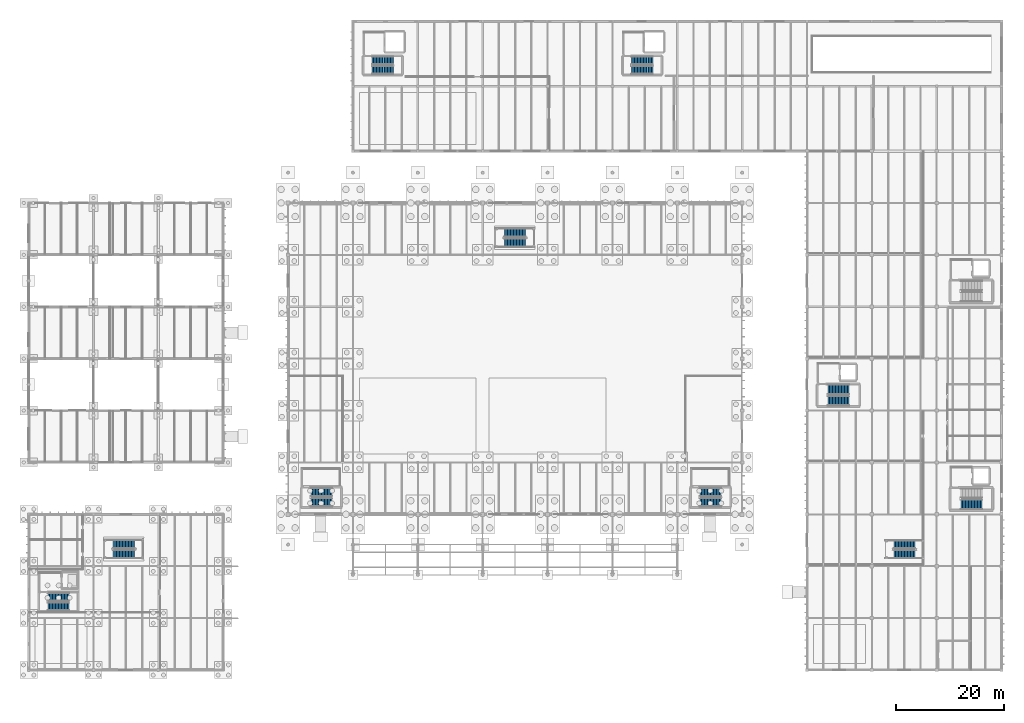
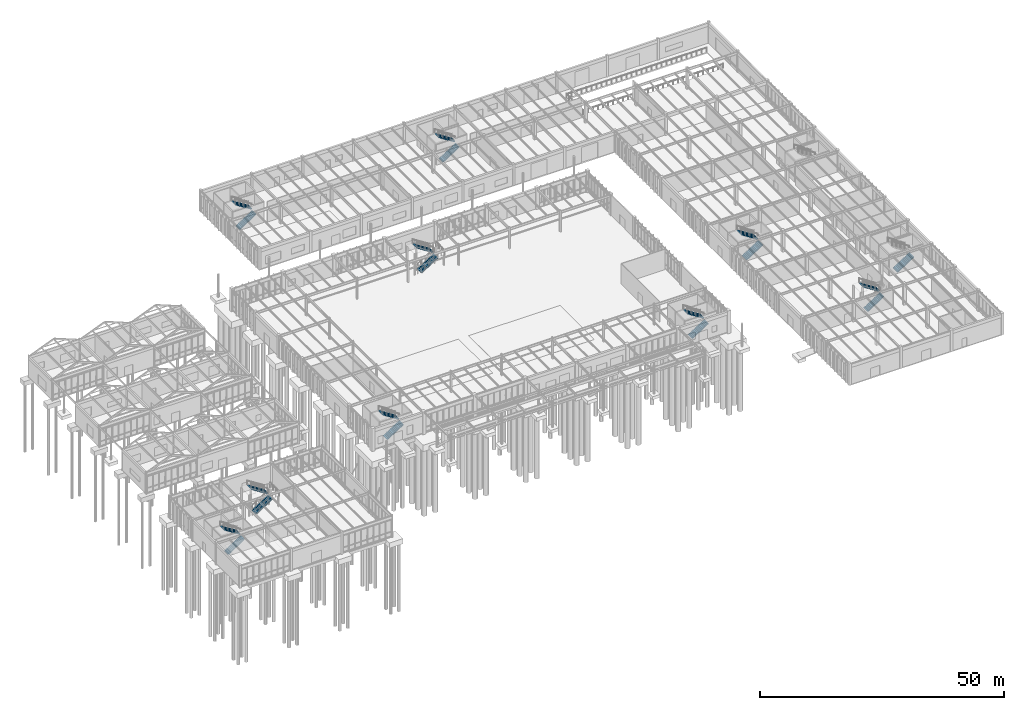
# One storey, part 170 of 188: 19 stair flights, 10 elements without a shape of their own.
"""IFC4 building model written with IfcOpenShell, lengths in metres."""

from ifc_helpers import new_model, si_unit, direction, frame, origin, place, context, subcontext, project, spatial, polyline, outline, extrude, material, type_object, element, aggregate, save


model = new_model("IFC4")

# Units and contexts
model_context = context("Model", 3, precision=1e-05, world=origin(), true_north=direction((0.0, 1.0)))
body_context = subcontext(model_context, "Body", "Model", "MODEL_VIEW")
ifc_project = project(units=[si_unit("LENGTHUNIT", "METRE"), si_unit("AREAUNIT", "SQUARE_METRE"), si_unit("VOLUMEUNIT", "CUBIC_METRE"), si_unit("PLANEANGLEUNIT", "RADIAN"), si_unit("MASSUNIT", "GRAM", prefix="KILO")], contexts=[model_context])

# Site, building, storey
site_placement = place(None, origin())
site = spatial("IfcSite", under=ifc_project, at=site_placement, CompositionType="ELEMENT")
building_placement = place(site_placement, origin())
building = spatial("IfcBuilding", under=site, at=building_placement, Name="Pandanus Reach Market Hall", CompositionType="ELEMENT")
storey_placement = place(building_placement, origin())
storey = spatial("IfcBuildingStorey", under=building, at=storey_placement, Name="L00", CompositionType="ELEMENT", Elevation=0.0)

# Stair, stair flight
ifc_material = material(Name="Concrete N40 (40 MPa)", Category="concrete")
stair_type_1 = type_object("IfcStairType", Name="STR-02", PredefinedType="HALF_TURN_STAIR", material=ifc_material)
stair_1_placement = place(storey_placement, origin())
stair_1 = element("IfcStair", 1, at=stair_1_placement, inside=storey, type_object=stair_type_1, Name="Stair ST-01 L00", PredefinedType="HALF_TURN_STAIR")
stair_flight_type_1 = type_object("IfcStairFlightType", Name="STF-02", PredefinedType="STRAIGHT", material=ifc_material)
stair_flight_1_placement = place(storey_placement, frame((172.449951171875, 30.625, 0.0), z_axis=(0.0, 0.0, 1.0), x_axis=(1.0, 0.0, 0.0)))
stair_flight_1 = element("IfcStairFlight", 2, at=stair_flight_1_placement, type_object=stair_flight_type_1, Name="STR-02 flight 1", NumberOfRisers=15, NumberOfTreads=14, PredefinedType="STRAIGHT", RiserHeight=0.18, TreadLength=0.28, context=body_context, shape_type="SweptSolid", body=[
    extrude(outline(polyline([(0.0, 0.0), (0.0, 0.179931640625), (0.280029296875, 0.179931640625), (0.280029296875, 0.360107421875), (0.56005859375, 0.360107421875), (0.56005859375, 0.5400390625), (0.840087890625, 0.5400390625), (0.840087890625, 0.719970703125), (1.1201171875, 0.719970703125), (1.1201171875, 0.89990234375), (1.39990234375, 0.89990234375), (1.39990234375, 1.080078125), (1.679931640625, 1.080078125), (1.679931640625, 1.260009765625), (1.9599609375, 1.260009765625), (1.9599609375, 1.43994140625), (2.239990234375, 1.43994140625), (2.239990234375, 1.6201171875), (2.52001953125, 1.6201171875), (2.52001953125, 1.800048828125), (2.800048828125, 1.800048828125), (2.800048828125, 1.97998046875), (3.080078125, 1.97998046875), (3.080078125, 2.159912109375), (3.360107421875, 2.159912109375), (3.360107421875, 2.340087890625), (3.639892578125, 2.340087890625), (3.639892578125, 2.52001953125), (3.919921875, 2.52001953125), (3.919921875, 2.699951171875), (3.919921875, 2.341796875), (0.277099609375, 0.0), (0.0, 0.0)])), frame((0.0, 0.925048828125, 0.0), z_axis=(0.0, -1.0, 0.0), x_axis=(1.0, 0.0, 0.0)), (0.0, 0.0, 1.0), 1.85009765625),
])
aggregate(stair_1, [stair_flight_1])

# Stair, stair flights
stair_2_placement = place(storey_placement, origin())
stair_2 = element("IfcStair", 3, at=stair_2_placement, inside=storey, type_object=stair_type_1, Name="Stair ST-03 L00", PredefinedType="HALF_TURN_STAIR")
stair_flight_2_placement = place(storey_placement, frame((147.85009765625, 49.824951171875, 0.0), z_axis=(0.0, 0.0, 1.0), x_axis=(1.0, 0.0, 0.0)))
stair_flight_2 = element("IfcStairFlight", 4, at=stair_flight_2_placement, type_object=stair_flight_type_1, Name="STR-02 flight 1", NumberOfRisers=15, NumberOfTreads=14, PredefinedType="STRAIGHT", RiserHeight=0.18, TreadLength=0.28, context=body_context, shape_type="SweptSolid", body=[
    extrude(outline(polyline([(0.0, 0.0), (0.0, 0.179931640625), (0.280029296875, 0.179931640625), (0.280029296875, 0.360107421875), (0.56005859375, 0.360107421875), (0.56005859375, 0.5400390625), (0.840087890625, 0.5400390625), (0.840087890625, 0.719970703125), (1.1201171875, 0.719970703125), (1.1201171875, 0.89990234375), (1.39990234375, 0.89990234375), (1.39990234375, 1.080078125), (1.679931640625, 1.080078125), (1.679931640625, 1.260009765625), (1.9599609375, 1.260009765625), (1.9599609375, 1.43994140625), (2.239990234375, 1.43994140625), (2.239990234375, 1.6201171875), (2.52001953125, 1.6201171875), (2.52001953125, 1.800048828125), (2.800048828125, 1.800048828125), (2.800048828125, 1.97998046875), (3.080078125, 1.97998046875), (3.080078125, 2.159912109375), (3.360107421875, 2.159912109375), (3.360107421875, 2.340087890625), (3.639892578125, 2.340087890625), (3.639892578125, 2.52001953125), (3.919921875, 2.52001953125), (3.919921875, 2.699951171875), (3.919921875, 2.341796875), (0.277099609375, 0.0), (0.0, 0.0)])), frame((0.0, 0.925048828125, 0.0), z_axis=(0.0, -1.0, 0.0), x_axis=(1.0, 0.0, 0.0)), (0.0, 0.0, 1.0), 1.85009765625),
])
stair_flight_3_placement = place(storey_placement, frame((151.77001953125, 51.875, 2.699951171875), z_axis=(0.0, 0.0, 1.0), x_axis=(-1.0, 0.0, 0.0)))
stair_flight_3 = element("IfcStairFlight", 5, at=stair_flight_3_placement, type_object=stair_flight_type_1, Name="STR-02 flight 2", NumberOfRisers=15, NumberOfTreads=14, PredefinedType="STRAIGHT", RiserHeight=0.18, TreadLength=0.28, context=body_context, shape_type="SweptSolid", body=[
    extrude(outline(polyline([(0.0, 0.0), (0.0, 0.179931640625), (0.280029296875, 0.179931640625), (0.280029296875, 0.360107421875), (0.56005859375, 0.360107421875), (0.56005859375, 0.5400390625), (0.840087890625, 0.5400390625), (0.840087890625, 0.719970703125), (1.1201171875, 0.719970703125), (1.1201171875, 0.89990234375), (1.39990234375, 0.89990234375), (1.39990234375, 1.080078125), (1.679931640625, 1.080078125), (1.679931640625, 1.260009765625), (1.9599609375, 1.260009765625), (1.9599609375, 1.43994140625), (2.239990234375, 1.43994140625), (2.239990234375, 1.6201171875), (2.52001953125, 1.6201171875), (2.52001953125, 1.800048828125), (2.800048828125, 1.800048828125), (2.800048828125, 1.97998046875), (3.080078125, 1.97998046875), (3.080078125, 2.159912109375), (3.360107421875, 2.159912109375), (3.360107421875, 2.340087890625), (3.639892578125, 2.340087890625), (3.639892578125, 2.52001953125), (3.919921875, 2.52001953125), (3.919921875, 2.699951171875), (3.919921875, 2.341796875), (0.277099609375, 0.0), (0.0, 0.0)])), frame((0.0, 0.925048828125, 0.0), z_axis=(0.0, -1.0, 0.0), x_axis=(1.0, 0.0, 0.0)), (0.0, 0.0, 1.0), 1.85009765625),
])
aggregate(stair_2, [stair_flight_2, stair_flight_3])

stair_type_2 = type_object("IfcStairType", Name="STR-05", PredefinedType="HALF_TURN_STAIR", material=ifc_material)
stair_3_placement = place(storey_placement, origin())
stair_3 = element("IfcStair", 6, at=stair_3_placement, inside=storey, type_object=stair_type_2, Name="Stair ST-04 L00", PredefinedType="HALF_TURN_STAIR")
stair_flight_type_2 = type_object("IfcStairFlightType", Name="STF-05", PredefinedType="STRAIGHT", material=ifc_material)
stair_flight_4_placement = place(storey_placement, frame((3.550048828125, 11.77490234375, 0.0), z_axis=(0.0, 0.0, 1.0), x_axis=(1.0, 0.0, 0.0)))
stair_flight_4 = element("IfcStairFlight", 7, at=stair_flight_4_placement, type_object=stair_flight_type_2, Name="STR-05 flight 1", NumberOfRisers=15, NumberOfTreads=14, PredefinedType="STRAIGHT", RiserHeight=0.18, TreadLength=0.28, context=body_context, shape_type="SweptSolid", body=[
    extrude(outline(polyline([(0.0, 0.0), (0.0, 0.179931640625), (0.280029296875, 0.179931640625), (0.280029296875, 0.360107421875), (0.56005859375, 0.360107421875), (0.56005859375, 0.5400390625), (0.840087890625, 0.5400390625), (0.840087890625, 0.719970703125), (1.1201171875, 0.719970703125), (1.1201171875, 0.89990234375), (1.39990234375, 0.89990234375), (1.39990234375, 1.080078125), (1.679931640625, 1.080078125), (1.679931640625, 1.260009765625), (1.9599609375, 1.260009765625), (1.9599609375, 1.43994140625), (2.239990234375, 1.43994140625), (2.239990234375, 1.6201171875), (2.52001953125, 1.6201171875), (2.52001953125, 1.800048828125), (2.800048828125, 1.800048828125), (2.800048828125, 1.97998046875), (3.080078125, 1.97998046875), (3.080078125, 2.159912109375), (3.360107421875, 2.159912109375), (3.360107421875, 2.340087890625), (3.639892578125, 2.340087890625), (3.639892578125, 2.52001953125), (3.919921875, 2.52001953125), (3.919921875, 2.699951171875), (3.919921875, 2.341796875), (0.277099609375, 0.0), (0.0, 0.0)])), frame((0.0, 0.77490234375, 0.0), z_axis=(0.0, -1.0, 0.0), x_axis=(1.0, 0.0, 0.0)), (0.0, 0.0, 1.0), 1.550048828125),
])
stair_flight_5_placement = place(storey_placement, frame((7.469970703125, 13.52490234375, 2.699951171875), z_axis=(0.0, 0.0, 1.0), x_axis=(-1.0, 0.0, 0.0)))
stair_flight_5 = element("IfcStairFlight", 8, at=stair_flight_5_placement, type_object=stair_flight_type_2, Name="STR-05 flight 2", NumberOfRisers=15, NumberOfTreads=14, PredefinedType="STRAIGHT", RiserHeight=0.18, TreadLength=0.28, context=body_context, shape_type="SweptSolid", body=[
    extrude(outline(polyline([(0.0, 0.0), (0.0, 0.179931640625), (0.280029296875, 0.179931640625), (0.280029296875, 0.360107421875), (0.56005859375, 0.360107421875), (0.56005859375, 0.5400390625), (0.840087890625, 0.5400390625), (0.840087890625, 0.719970703125), (1.1201171875, 0.719970703125), (1.1201171875, 0.89990234375), (1.39990234375, 0.89990234375), (1.39990234375, 1.080078125), (1.679931640625, 1.080078125), (1.679931640625, 1.260009765625), (1.9599609375, 1.260009765625), (1.9599609375, 1.43994140625), (2.239990234375, 1.43994140625), (2.239990234375, 1.6201171875), (2.52001953125, 1.6201171875), (2.52001953125, 1.800048828125), (2.800048828125, 1.800048828125), (2.800048828125, 1.97998046875), (3.080078125, 1.97998046875), (3.080078125, 2.159912109375), (3.360107421875, 2.159912109375), (3.360107421875, 2.340087890625), (3.639892578125, 2.340087890625), (3.639892578125, 2.52001953125), (3.919921875, 2.52001953125), (3.919921875, 2.699951171875), (3.919921875, 2.341796875), (0.277099609375, 0.0), (0.0, 0.0)])), frame((0.0, 0.77490234375, 0.0), z_axis=(0.0, -1.0, 0.0), x_axis=(1.0, 0.0, 0.0)), (0.0, 0.0, 1.0), 1.550048828125),
])
aggregate(stair_3, [stair_flight_4, stair_flight_5])

stair_4_placement = place(storey_placement, origin())
stair_4 = element("IfcStair", 9, at=stair_4_placement, inside=storey, type_object=stair_type_2, Name="Stair ST-05 L00", PredefinedType="HALF_TURN_STAIR")
stair_flight_6_placement = place(storey_placement, frame((63.550048828125, 110.97509765625, 0.0), z_axis=(0.0, 0.0, 1.0), x_axis=(1.0, 0.0, 0.0)))
stair_flight_6 = element("IfcStairFlight", 10, at=stair_flight_6_placement, type_object=stair_flight_type_2, Name="STR-05 flight 1", NumberOfRisers=15, NumberOfTreads=14, PredefinedType="STRAIGHT", RiserHeight=0.18, TreadLength=0.28, context=body_context, shape_type="SweptSolid", body=[
    extrude(outline(polyline([(0.0, 0.0), (0.0, 0.179931640625), (0.280029296875, 0.179931640625), (0.280029296875, 0.360107421875), (0.56005859375, 0.360107421875), (0.56005859375, 0.5400390625), (0.840087890625, 0.5400390625), (0.840087890625, 0.719970703125), (1.1201171875, 0.719970703125), (1.1201171875, 0.89990234375), (1.39990234375, 0.89990234375), (1.39990234375, 1.080078125), (1.679931640625, 1.080078125), (1.679931640625, 1.260009765625), (1.9599609375, 1.260009765625), (1.9599609375, 1.43994140625), (2.239990234375, 1.43994140625), (2.239990234375, 1.6201171875), (2.52001953125, 1.6201171875), (2.52001953125, 1.800048828125), (2.800048828125, 1.800048828125), (2.800048828125, 1.97998046875), (3.080078125, 1.97998046875), (3.080078125, 2.159912109375), (3.360107421875, 2.159912109375), (3.360107421875, 2.340087890625), (3.639892578125, 2.340087890625), (3.639892578125, 2.52001953125), (3.919921875, 2.52001953125), (3.919921875, 2.699951171875), (3.919921875, 2.341796875), (0.277099609375, 0.0), (0.0, 0.0)])), frame((0.0, 0.77490234375, 0.0), z_axis=(0.0, -1.0, 0.0), x_axis=(1.0, 0.0, 0.0)), (0.0, 0.0, 1.0), 1.550048828125),
])
stair_flight_7_placement = place(storey_placement, frame((67.469970703125, 112.72509765625, 2.699951171875), z_axis=(0.0, 0.0, 1.0), x_axis=(-1.0, 0.0, 0.0)))
stair_flight_7 = element("IfcStairFlight", 11, at=stair_flight_7_placement, type_object=stair_flight_type_2, Name="STR-05 flight 2", NumberOfRisers=15, NumberOfTreads=14, PredefinedType="STRAIGHT", RiserHeight=0.18, TreadLength=0.28, context=body_context, shape_type="SweptSolid", body=[
    extrude(outline(polyline([(0.0, 0.0), (0.0, 0.179931640625), (0.280029296875, 0.179931640625), (0.280029296875, 0.360107421875), (0.56005859375, 0.360107421875), (0.56005859375, 0.5400390625), (0.840087890625, 0.5400390625), (0.840087890625, 0.719970703125), (1.1201171875, 0.719970703125), (1.1201171875, 0.89990234375), (1.39990234375, 0.89990234375), (1.39990234375, 1.080078125), (1.679931640625, 1.080078125), (1.679931640625, 1.260009765625), (1.9599609375, 1.260009765625), (1.9599609375, 1.43994140625), (2.239990234375, 1.43994140625), (2.239990234375, 1.6201171875), (2.52001953125, 1.6201171875), (2.52001953125, 1.800048828125), (2.800048828125, 1.800048828125), (2.800048828125, 1.97998046875), (3.080078125, 1.97998046875), (3.080078125, 2.159912109375), (3.360107421875, 2.159912109375), (3.360107421875, 2.340087890625), (3.639892578125, 2.340087890625), (3.639892578125, 2.52001953125), (3.919921875, 2.52001953125), (3.919921875, 2.699951171875), (3.919921875, 2.341796875), (0.277099609375, 0.0), (0.0, 0.0)])), frame((0.0, 0.77490234375, 0.0), z_axis=(0.0, -1.0, 0.0), x_axis=(1.0, 0.0, 0.0)), (0.0, 0.0, 1.0), 1.550048828125),
])
aggregate(stair_4, [stair_flight_6, stair_flight_7])

stair_5_placement = place(storey_placement, origin())
stair_5 = element("IfcStair", 12, at=stair_5_placement, inside=storey, type_object=stair_type_2, Name="Stair ST-06 L00", PredefinedType="HALF_TURN_STAIR")
stair_flight_8_placement = place(storey_placement, frame((111.550048828125, 110.97509765625, 0.0), z_axis=(0.0, 0.0, 1.0), x_axis=(1.0, 0.0, 0.0)))
stair_flight_8 = element("IfcStairFlight", 13, at=stair_flight_8_placement, type_object=stair_flight_type_2, Name="STR-05 flight 1", NumberOfRisers=15, NumberOfTreads=14, PredefinedType="STRAIGHT", RiserHeight=0.18, TreadLength=0.28, context=body_context, shape_type="SweptSolid", body=[
    extrude(outline(polyline([(0.0, 0.0), (0.0, 0.179931640625), (0.280029296875, 0.179931640625), (0.280029296875, 0.360107421875), (0.56005859375, 0.360107421875), (0.56005859375, 0.5400390625), (0.840087890625, 0.5400390625), (0.840087890625, 0.719970703125), (1.1201171875, 0.719970703125), (1.1201171875, 0.89990234375), (1.39990234375, 0.89990234375), (1.39990234375, 1.080078125), (1.679931640625, 1.080078125), (1.679931640625, 1.260009765625), (1.9599609375, 1.260009765625), (1.9599609375, 1.43994140625), (2.239990234375, 1.43994140625), (2.239990234375, 1.6201171875), (2.52001953125, 1.6201171875), (2.52001953125, 1.800048828125), (2.800048828125, 1.800048828125), (2.800048828125, 1.97998046875), (3.080078125, 1.97998046875), (3.080078125, 2.159912109375), (3.360107421875, 2.159912109375), (3.360107421875, 2.340087890625), (3.639892578125, 2.340087890625), (3.639892578125, 2.52001953125), (3.919921875, 2.52001953125), (3.919921875, 2.699951171875), (3.919921875, 2.341796875), (0.277099609375, 0.0), (0.0, 0.0)])), frame((0.0, 0.77490234375, 0.0), z_axis=(0.0, -1.0, 0.0), x_axis=(1.0, 0.0, 0.0)), (0.0, 0.0, 1.0), 1.550048828125),
])
stair_flight_9_placement = place(storey_placement, frame((115.469970703125, 112.72509765625, 2.699951171875), z_axis=(0.0, 0.0, 1.0), x_axis=(-1.0, 0.0, 0.0)))
stair_flight_9 = element("IfcStairFlight", 14, at=stair_flight_9_placement, type_object=stair_flight_type_2, Name="STR-05 flight 2", NumberOfRisers=15, NumberOfTreads=14, PredefinedType="STRAIGHT", RiserHeight=0.18, TreadLength=0.28, context=body_context, shape_type="SweptSolid", body=[
    extrude(outline(polyline([(0.0, 0.0), (0.0, 0.179931640625), (0.280029296875, 0.179931640625), (0.280029296875, 0.360107421875), (0.56005859375, 0.360107421875), (0.56005859375, 0.5400390625), (0.840087890625, 0.5400390625), (0.840087890625, 0.719970703125), (1.1201171875, 0.719970703125), (1.1201171875, 0.89990234375), (1.39990234375, 0.89990234375), (1.39990234375, 1.080078125), (1.679931640625, 1.080078125), (1.679931640625, 1.260009765625), (1.9599609375, 1.260009765625), (1.9599609375, 1.43994140625), (2.239990234375, 1.43994140625), (2.239990234375, 1.6201171875), (2.52001953125, 1.6201171875), (2.52001953125, 1.800048828125), (2.800048828125, 1.800048828125), (2.800048828125, 1.97998046875), (3.080078125, 1.97998046875), (3.080078125, 2.159912109375), (3.360107421875, 2.159912109375), (3.360107421875, 2.340087890625), (3.639892578125, 2.340087890625), (3.639892578125, 2.52001953125), (3.919921875, 2.52001953125), (3.919921875, 2.699951171875), (3.919921875, 2.341796875), (0.277099609375, 0.0), (0.0, 0.0)])), frame((0.0, 0.77490234375, 0.0), z_axis=(0.0, -1.0, 0.0), x_axis=(1.0, 0.0, 0.0)), (0.0, 0.0, 1.0), 1.550048828125),
])
aggregate(stair_5, [stair_flight_8, stair_flight_9])

stair_type_3 = type_object("IfcStairType", Name="STR-08", PredefinedType="HALF_TURN_STAIR", material=ifc_material)
stair_6_placement = place(storey_placement, origin())
stair_6 = element("IfcStair", 15, at=stair_6_placement, inside=storey, type_object=stair_type_3, Name="Stair ST-07 L00", PredefinedType="HALF_TURN_STAIR")
stair_flight_type_3 = type_object("IfcStairFlightType", Name="STF-08", PredefinedType="STRAIGHT", material=ifc_material)
stair_flight_10_placement = place(storey_placement, frame((52.199951171875, 31.02490234375, 0.0), z_axis=(0.0, 0.0, 1.0), x_axis=(1.0, 0.0, 0.0)))
stair_flight_10 = element("IfcStairFlight", 16, at=stair_flight_10_placement, type_object=stair_flight_type_3, Name="STR-08 flight 1", NumberOfRisers=15, NumberOfTreads=14, PredefinedType="STRAIGHT", RiserHeight=0.18, TreadLength=0.28, context=body_context, shape_type="SweptSolid", body=[
    extrude(outline(polyline([(0.0, 0.0), (0.0, 0.179931640625), (0.280029296875, 0.179931640625), (0.280029296875, 0.360107421875), (0.56005859375, 0.360107421875), (0.56005859375, 0.5400390625), (0.840087890625, 0.5400390625), (0.840087890625, 0.719970703125), (1.1201171875, 0.719970703125), (1.1201171875, 0.89990234375), (1.39990234375, 0.89990234375), (1.39990234375, 1.080078125), (1.679931640625, 1.080078125), (1.679931640625, 1.260009765625), (1.9599609375, 1.260009765625), (1.9599609375, 1.43994140625), (2.239990234375, 1.43994140625), (2.239990234375, 1.6201171875), (2.52001953125, 1.6201171875), (2.52001953125, 1.800048828125), (2.800048828125, 1.800048828125), (2.800048828125, 1.97998046875), (3.080078125, 1.97998046875), (3.080078125, 2.159912109375), (3.360107421875, 2.159912109375), (3.360107421875, 2.340087890625), (3.639892578125, 2.340087890625), (3.639892578125, 2.52001953125), (3.919921875, 2.52001953125), (3.919921875, 2.699951171875), (3.919921875, 2.341796875), (0.277099609375, 0.0), (0.0, 0.0)])), frame((0.0, 0.824951171875, 0.0), z_axis=(0.0, -1.0, 0.0), x_axis=(1.0, 0.0, 0.0)), (0.0, 0.0, 1.0), 1.64990234375),
])
stair_flight_11_placement = place(storey_placement, frame((56.1201171875, 32.875, 2.699951171875), z_axis=(0.0, 0.0, 1.0), x_axis=(-1.0, 0.0, 0.0)))
stair_flight_11 = element("IfcStairFlight", 17, at=stair_flight_11_placement, type_object=stair_flight_type_3, Name="STR-08 flight 2", NumberOfRisers=15, NumberOfTreads=14, PredefinedType="STRAIGHT", RiserHeight=0.18, TreadLength=0.28, context=body_context, shape_type="SweptSolid", body=[
    extrude(outline(polyline([(0.0, 0.0), (0.0, 0.179931640625), (0.280029296875, 0.179931640625), (0.280029296875, 0.360107421875), (0.56005859375, 0.360107421875), (0.56005859375, 0.5400390625), (0.840087890625, 0.5400390625), (0.840087890625, 0.719970703125), (1.1201171875, 0.719970703125), (1.1201171875, 0.89990234375), (1.39990234375, 0.89990234375), (1.39990234375, 1.080078125), (1.679931640625, 1.080078125), (1.679931640625, 1.260009765625), (1.9599609375, 1.260009765625), (1.9599609375, 1.43994140625), (2.239990234375, 1.43994140625), (2.239990234375, 1.6201171875), (2.52001953125, 1.6201171875), (2.52001953125, 1.800048828125), (2.800048828125, 1.800048828125), (2.800048828125, 1.97998046875), (3.080078125, 1.97998046875), (3.080078125, 2.159912109375), (3.360107421875, 2.159912109375), (3.360107421875, 2.340087890625), (3.639892578125, 2.340087890625), (3.639892578125, 2.52001953125), (3.919921875, 2.52001953125), (3.919921875, 2.699951171875), (3.919921875, 2.341796875), (0.277099609375, 0.0), (0.0, 0.0)])), frame((0.0, 0.824951171875, 0.0), z_axis=(0.0, -1.0, 0.0), x_axis=(1.0, 0.0, 0.0)), (0.0, 0.0, 1.0), 1.64990234375),
])
aggregate(stair_6, [stair_flight_10, stair_flight_11])

stair_7_placement = place(storey_placement, origin())
stair_7 = element("IfcStair", 18, at=stair_7_placement, inside=storey, type_object=stair_type_3, Name="Stair ST-08 L00", PredefinedType="HALF_TURN_STAIR")
stair_flight_12_placement = place(storey_placement, frame((124.199951171875, 31.02490234375, 0.0), z_axis=(0.0, 0.0, 1.0), x_axis=(1.0, 0.0, 0.0)))
stair_flight_12 = element("IfcStairFlight", 19, at=stair_flight_12_placement, type_object=stair_flight_type_3, Name="STR-08 flight 1", NumberOfRisers=15, NumberOfTreads=14, PredefinedType="STRAIGHT", RiserHeight=0.18, TreadLength=0.28, context=body_context, shape_type="SweptSolid", body=[
    extrude(outline(polyline([(0.0, 0.0), (0.0, 0.179931640625), (0.280029296875, 0.179931640625), (0.280029296875, 0.360107421875), (0.56005859375, 0.360107421875), (0.56005859375, 0.5400390625), (0.840087890625, 0.5400390625), (0.840087890625, 0.719970703125), (1.1201171875, 0.719970703125), (1.1201171875, 0.89990234375), (1.39990234375, 0.89990234375), (1.39990234375, 1.080078125), (1.679931640625, 1.080078125), (1.679931640625, 1.260009765625), (1.9599609375, 1.260009765625), (1.9599609375, 1.43994140625), (2.239990234375, 1.43994140625), (2.239990234375, 1.6201171875), (2.52001953125, 1.6201171875), (2.52001953125, 1.800048828125), (2.800048828125, 1.800048828125), (2.800048828125, 1.97998046875), (3.080078125, 1.97998046875), (3.080078125, 2.159912109375), (3.360107421875, 2.159912109375), (3.360107421875, 2.340087890625), (3.639892578125, 2.340087890625), (3.639892578125, 2.52001953125), (3.919921875, 2.52001953125), (3.919921875, 2.699951171875), (3.919921875, 2.341796875), (0.277099609375, 0.0), (0.0, 0.0)])), frame((0.0, 0.824951171875, 0.0), z_axis=(0.0, -1.0, 0.0), x_axis=(1.0, 0.0, 0.0)), (0.0, 0.0, 1.0), 1.64990234375),
])
stair_flight_13_placement = place(storey_placement, frame((128.1201171875, 32.875, 2.699951171875), z_axis=(0.0, 0.0, 1.0), x_axis=(-1.0, 0.0, 0.0)))
stair_flight_13 = element("IfcStairFlight", 20, at=stair_flight_13_placement, type_object=stair_flight_type_3, Name="STR-08 flight 2", NumberOfRisers=15, NumberOfTreads=14, PredefinedType="STRAIGHT", RiserHeight=0.18, TreadLength=0.28, context=body_context, shape_type="SweptSolid", body=[
    extrude(outline(polyline([(0.0, 0.0), (0.0, 0.179931640625), (0.280029296875, 0.179931640625), (0.280029296875, 0.360107421875), (0.56005859375, 0.360107421875), (0.56005859375, 0.5400390625), (0.840087890625, 0.5400390625), (0.840087890625, 0.719970703125), (1.1201171875, 0.719970703125), (1.1201171875, 0.89990234375), (1.39990234375, 0.89990234375), (1.39990234375, 1.080078125), (1.679931640625, 1.080078125), (1.679931640625, 1.260009765625), (1.9599609375, 1.260009765625), (1.9599609375, 1.43994140625), (2.239990234375, 1.43994140625), (2.239990234375, 1.6201171875), (2.52001953125, 1.6201171875), (2.52001953125, 1.800048828125), (2.800048828125, 1.800048828125), (2.800048828125, 1.97998046875), (3.080078125, 1.97998046875), (3.080078125, 2.159912109375), (3.360107421875, 2.159912109375), (3.360107421875, 2.340087890625), (3.639892578125, 2.340087890625), (3.639892578125, 2.52001953125), (3.919921875, 2.52001953125), (3.919921875, 2.699951171875), (3.919921875, 2.341796875), (0.277099609375, 0.0), (0.0, 0.0)])), frame((0.0, 0.824951171875, 0.0), z_axis=(0.0, -1.0, 0.0), x_axis=(1.0, 0.0, 0.0)), (0.0, 0.0, 1.0), 1.64990234375),
])
aggregate(stair_7, [stair_flight_12, stair_flight_13])

stair_8_placement = place(storey_placement, origin())
stair_8 = element("IfcStair", 21, at=stair_8_placement, inside=storey, type_object=stair_type_3, Name="Stair ST-09 L00", PredefinedType="HALF_TURN_STAIR")
stair_flight_14_placement = place(storey_placement, frame((88.0, 79.02490234375, 0.0), z_axis=(0.0, 0.0, 1.0), x_axis=(1.0, 0.0, 0.0)))
stair_flight_14 = element("IfcStairFlight", 22, at=stair_flight_14_placement, type_object=stair_flight_type_3, Name="STR-08 flight 1", NumberOfRisers=15, NumberOfTreads=14, PredefinedType="STRAIGHT", RiserHeight=0.18, TreadLength=0.28, context=body_context, shape_type="SweptSolid", body=[
    extrude(outline(polyline([(0.0, 0.0), (0.0, 0.179931640625), (0.280029296875, 0.179931640625), (0.280029296875, 0.360107421875), (0.56005859375, 0.360107421875), (0.56005859375, 0.5400390625), (0.840087890625, 0.5400390625), (0.840087890625, 0.719970703125), (1.1201171875, 0.719970703125), (1.1201171875, 0.89990234375), (1.39990234375, 0.89990234375), (1.39990234375, 1.080078125), (1.679931640625, 1.080078125), (1.679931640625, 1.260009765625), (1.9599609375, 1.260009765625), (1.9599609375, 1.43994140625), (2.239990234375, 1.43994140625), (2.239990234375, 1.6201171875), (2.52001953125, 1.6201171875), (2.52001953125, 1.800048828125), (2.800048828125, 1.800048828125), (2.800048828125, 1.97998046875), (3.080078125, 1.97998046875), (3.080078125, 2.159912109375), (3.360107421875, 2.159912109375), (3.360107421875, 2.340087890625), (3.639892578125, 2.340087890625), (3.639892578125, 2.52001953125), (3.919921875, 2.52001953125), (3.919921875, 2.699951171875), (3.919921875, 2.341796875), (0.277099609375, 0.0), (0.0, 0.0)])), frame((0.0, 0.824951171875, 0.0), z_axis=(0.0, -1.0, 0.0), x_axis=(1.0, 0.0, 0.0)), (0.0, 0.0, 1.0), 1.64990234375),
])
stair_flight_15_placement = place(storey_placement, frame((91.919921875, 80.89501953125, 2.699951171875), z_axis=(0.0, 0.0, 1.0), x_axis=(-1.0, 0.0, 0.0)))
stair_flight_15 = element("IfcStairFlight", 23, at=stair_flight_15_placement, type_object=stair_flight_type_3, Name="STR-08 flight 2", NumberOfRisers=15, NumberOfTreads=14, PredefinedType="STRAIGHT", RiserHeight=0.18, TreadLength=0.28, context=body_context, shape_type="SweptSolid", body=[
    extrude(outline(polyline([(0.0, 0.0), (0.0, 0.179931640625), (0.280029296875, 0.179931640625), (0.280029296875, 0.360107421875), (0.56005859375, 0.360107421875), (0.56005859375, 0.5400390625), (0.840087890625, 0.5400390625), (0.840087890625, 0.719970703125), (1.1201171875, 0.719970703125), (1.1201171875, 0.89990234375), (1.39990234375, 0.89990234375), (1.39990234375, 1.080078125), (1.679931640625, 1.080078125), (1.679931640625, 1.260009765625), (1.9599609375, 1.260009765625), (1.9599609375, 1.43994140625), (2.239990234375, 1.43994140625), (2.239990234375, 1.6201171875), (2.52001953125, 1.6201171875), (2.52001953125, 1.800048828125), (2.800048828125, 1.800048828125), (2.800048828125, 1.97998046875), (3.080078125, 1.97998046875), (3.080078125, 2.159912109375), (3.360107421875, 2.159912109375), (3.360107421875, 2.340087890625), (3.639892578125, 2.340087890625), (3.639892578125, 2.52001953125), (3.919921875, 2.52001953125), (3.919921875, 2.699951171875), (3.919921875, 2.341796875), (0.277099609375, 0.0), (0.0, 0.0)])), frame((0.0, 0.824951171875, 0.0), z_axis=(0.0, -1.0, 0.0), x_axis=(1.0, 0.0, 0.0)), (0.0, 0.0, 1.0), 1.64990234375),
])
aggregate(stair_8, [stair_flight_14, stair_flight_15])

stair_9_placement = place(storey_placement, origin())
stair_9 = element("IfcStair", 24, at=stair_9_placement, inside=storey, type_object=stair_type_3, Name="Stair ST-10 L00", PredefinedType="HALF_TURN_STAIR")
stair_flight_16_placement = place(storey_placement, frame((15.64990234375, 21.425048828125, 0.0), z_axis=(0.0, 0.0, 1.0), x_axis=(1.0, 0.0, 0.0)))
stair_flight_16 = element("IfcStairFlight", 25, at=stair_flight_16_placement, type_object=stair_flight_type_3, Name="STR-08 flight 1", NumberOfRisers=15, NumberOfTreads=14, PredefinedType="STRAIGHT", RiserHeight=0.18, TreadLength=0.28, context=body_context, shape_type="SweptSolid", body=[
    extrude(outline(polyline([(0.0, 0.0), (0.0, 0.179931640625), (0.280029296875, 0.179931640625), (0.280029296875, 0.360107421875), (0.56005859375, 0.360107421875), (0.56005859375, 0.5400390625), (0.840087890625, 0.5400390625), (0.840087890625, 0.719970703125), (1.1201171875, 0.719970703125), (1.1201171875, 0.89990234375), (1.39990234375, 0.89990234375), (1.39990234375, 1.080078125), (1.679931640625, 1.080078125), (1.679931640625, 1.260009765625), (1.9599609375, 1.260009765625), (1.9599609375, 1.43994140625), (2.239990234375, 1.43994140625), (2.239990234375, 1.6201171875), (2.52001953125, 1.6201171875), (2.52001953125, 1.800048828125), (2.800048828125, 1.800048828125), (2.800048828125, 1.97998046875), (3.080078125, 1.97998046875), (3.080078125, 2.159912109375), (3.360107421875, 2.159912109375), (3.360107421875, 2.340087890625), (3.639892578125, 2.340087890625), (3.639892578125, 2.52001953125), (3.919921875, 2.52001953125), (3.919921875, 2.699951171875), (3.919921875, 2.341796875), (0.277099609375, 0.0), (0.0, 0.0)])), frame((0.0, 0.824951171875, 0.0), z_axis=(0.0, -1.0, 0.0), x_axis=(1.0, 0.0, 0.0)), (0.0, 0.0, 1.0), 1.64990234375),
])
stair_flight_17_placement = place(storey_placement, frame((19.570068359375, 23.294921875, 2.699951171875), z_axis=(0.0, 0.0, 1.0), x_axis=(-1.0, 0.0, 0.0)))
stair_flight_17 = element("IfcStairFlight", 26, at=stair_flight_17_placement, type_object=stair_flight_type_3, Name="STR-08 flight 2", NumberOfRisers=15, NumberOfTreads=14, PredefinedType="STRAIGHT", RiserHeight=0.18, TreadLength=0.28, context=body_context, shape_type="SweptSolid", body=[
    extrude(outline(polyline([(0.0, 0.0), (0.0, 0.179931640625), (0.280029296875, 0.179931640625), (0.280029296875, 0.360107421875), (0.56005859375, 0.360107421875), (0.56005859375, 0.5400390625), (0.840087890625, 0.5400390625), (0.840087890625, 0.719970703125), (1.1201171875, 0.719970703125), (1.1201171875, 0.89990234375), (1.39990234375, 0.89990234375), (1.39990234375, 1.080078125), (1.679931640625, 1.080078125), (1.679931640625, 1.260009765625), (1.9599609375, 1.260009765625), (1.9599609375, 1.43994140625), (2.239990234375, 1.43994140625), (2.239990234375, 1.6201171875), (2.52001953125, 1.6201171875), (2.52001953125, 1.800048828125), (2.800048828125, 1.800048828125), (2.800048828125, 1.97998046875), (3.080078125, 1.97998046875), (3.080078125, 2.159912109375), (3.360107421875, 2.159912109375), (3.360107421875, 2.340087890625), (3.639892578125, 2.340087890625), (3.639892578125, 2.52001953125), (3.919921875, 2.52001953125), (3.919921875, 2.699951171875), (3.919921875, 2.341796875), (0.277099609375, 0.0), (0.0, 0.0)])), frame((0.0, 0.824951171875, 0.0), z_axis=(0.0, -1.0, 0.0), x_axis=(1.0, 0.0, 0.0)), (0.0, 0.0, 1.0), 1.64990234375),
])
aggregate(stair_9, [stair_flight_16, stair_flight_17])

stair_type_4 = type_object("IfcStairType", Name="STR-09", PredefinedType="HALF_TURN_STAIR", material=ifc_material)
stair_10_placement = place(storey_placement, origin())
stair_10 = element("IfcStair", 27, at=stair_10_placement, inside=storey, type_object=stair_type_4, Name="Stair ST-11 L00", PredefinedType="HALF_TURN_STAIR")
stair_flight_type_4 = type_object("IfcStairFlightType", Name="STF-09", PredefinedType="STRAIGHT", material=ifc_material)
stair_flight_18_placement = place(storey_placement, frame((160.10009765625, 21.39990234375, 0.0), z_axis=(0.0, 0.0, 1.0), x_axis=(1.0, 0.0, 0.0)))
stair_flight_18 = element("IfcStairFlight", 28, at=stair_flight_18_placement, type_object=stair_flight_type_4, Name="STR-09 flight 1", NumberOfRisers=15, NumberOfTreads=14, PredefinedType="STRAIGHT", RiserHeight=0.18, TreadLength=0.28, context=body_context, shape_type="SweptSolid", body=[
    extrude(outline(polyline([(0.0, 0.0), (0.0, 0.179931640625), (0.280029296875, 0.179931640625), (0.280029296875, 0.360107421875), (0.56005859375, 0.360107421875), (0.56005859375, 0.5400390625), (0.840087890625, 0.5400390625), (0.840087890625, 0.719970703125), (1.1201171875, 0.719970703125), (1.1201171875, 0.89990234375), (1.39990234375, 0.89990234375), (1.39990234375, 1.080078125), (1.679931640625, 1.080078125), (1.679931640625, 1.260009765625), (1.9599609375, 1.260009765625), (1.9599609375, 1.43994140625), (2.239990234375, 1.43994140625), (2.239990234375, 1.6201171875), (2.52001953125, 1.6201171875), (2.52001953125, 1.800048828125), (2.800048828125, 1.800048828125), (2.800048828125, 1.97998046875), (3.080078125, 1.97998046875), (3.080078125, 2.159912109375), (3.360107421875, 2.159912109375), (3.360107421875, 2.340087890625), (3.639892578125, 2.340087890625), (3.639892578125, 2.52001953125), (3.919921875, 2.52001953125), (3.919921875, 2.699951171875), (3.919921875, 2.341796875), (0.277099609375, 0.0), (0.0, 0.0)])), frame((0.0, 0.800048828125, 0.0), z_axis=(0.0, -1.0, 0.0), x_axis=(1.0, 0.0, 0.0)), (0.0, 0.0, 1.0), 1.60009765625),
])
stair_flight_19_placement = place(storey_placement, frame((164.02001953125, 23.219970703125, 2.699951171875), z_axis=(0.0, 0.0, 1.0), x_axis=(-1.0, 0.0, 0.0)))
stair_flight_19 = element("IfcStairFlight", 29, at=stair_flight_19_placement, type_object=stair_flight_type_4, Name="STR-09 flight 2", NumberOfRisers=15, NumberOfTreads=14, PredefinedType="STRAIGHT", RiserHeight=0.18, TreadLength=0.28, context=body_context, shape_type="SweptSolid", body=[
    extrude(outline(polyline([(0.0, 0.0), (0.0, 0.179931640625), (0.280029296875, 0.179931640625), (0.280029296875, 0.360107421875), (0.56005859375, 0.360107421875), (0.56005859375, 0.5400390625), (0.840087890625, 0.5400390625), (0.840087890625, 0.719970703125), (1.1201171875, 0.719970703125), (1.1201171875, 0.89990234375), (1.39990234375, 0.89990234375), (1.39990234375, 1.080078125), (1.679931640625, 1.080078125), (1.679931640625, 1.260009765625), (1.9599609375, 1.260009765625), (1.9599609375, 1.43994140625), (2.239990234375, 1.43994140625), (2.239990234375, 1.6201171875), (2.52001953125, 1.6201171875), (2.52001953125, 1.800048828125), (2.800048828125, 1.800048828125), (2.800048828125, 1.97998046875), (3.080078125, 1.97998046875), (3.080078125, 2.159912109375), (3.360107421875, 2.159912109375), (3.360107421875, 2.340087890625), (3.639892578125, 2.340087890625), (3.639892578125, 2.52001953125), (3.919921875, 2.52001953125), (3.919921875, 2.699951171875), (3.919921875, 2.341796875), (0.277099609375, 0.0), (0.0, 0.0)])), frame((0.0, 0.800048828125, 0.0), z_axis=(0.0, -1.0, 0.0), x_axis=(1.0, 0.0, 0.0)), (0.0, 0.0, 1.0), 1.60009765625),
])
aggregate(stair_10, [stair_flight_18, stair_flight_19])

save(model, "model.ifc")
